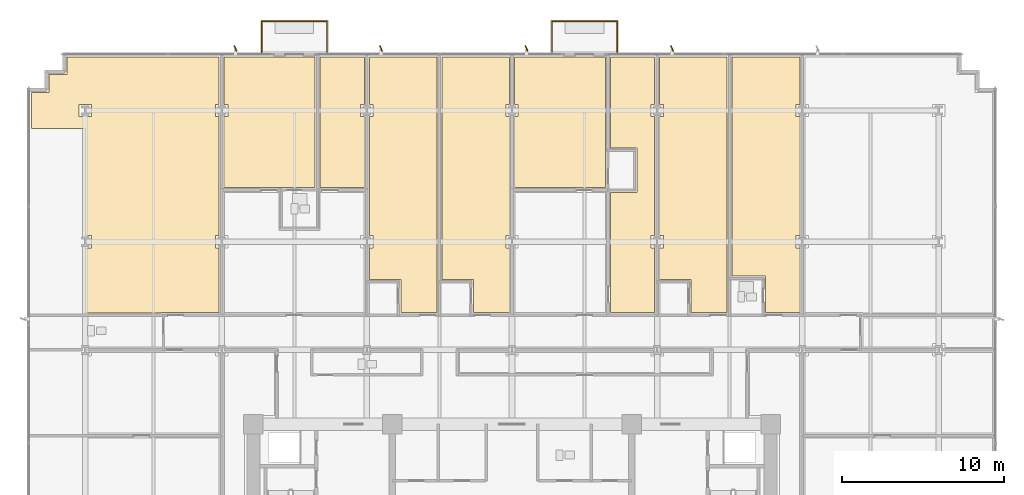
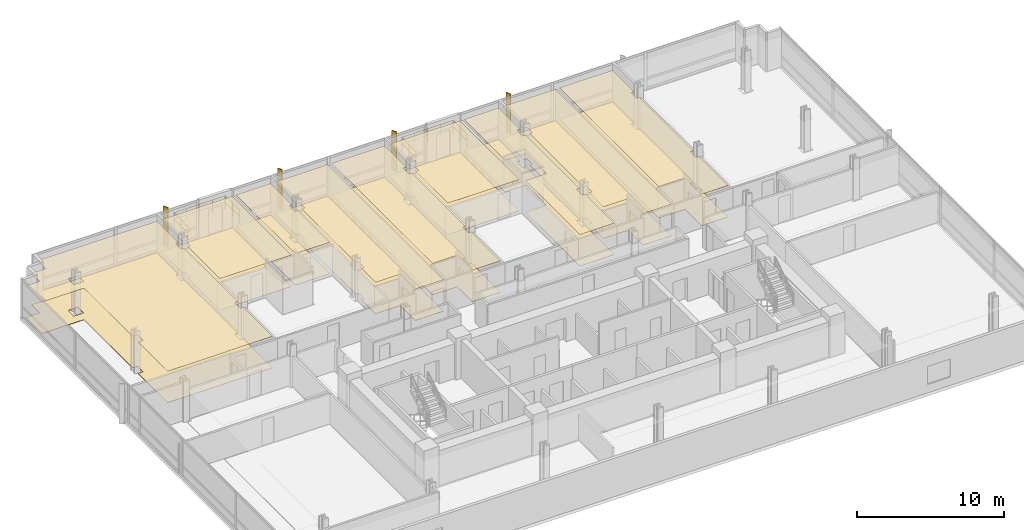
# One storey, part 14 of 16: 18 coverings, 6 railings, 4 shading devices.
"""IFC4 building model written with IfcOpenShell, lengths in metres."""

import ifcopenshell
import ifcopenshell.guid

model = None  # the IFC model being written
_history = None  # IfcOwnerHistory: only IFC2X3 demands one
_inside = {}  # id of a spatial element -> (the spatial element, [elements in it])
_under = {}  # id of a project, library or spatial element -> (it, [spatial elements below it])
_declared = {}  # id of a project -> (the project, [libraries it declares])
_typed = {}  # id of a type object -> (the type object, [elements of that type])
_made_of = {}  # id of a material, layer set ... -> (it, [elements and type objects made of it])


def new_model(schema):
    """Start an empty IFC model of exactly this schema.

    Asked for "IFC4X3", IfcOpenShell would pick the latest addendum, in which some entities
    have other attributes; the version numbers below select the first issue.
    IFC2X3 requires an IfcOwnerHistory on every rooted entity: one is made here for all.
    """
    global model, _history
    if schema == "IFC4X3":
        model = ifcopenshell.file(schema_version=(4, 3, 0, 0))
    else:
        model = ifcopenshell.file(schema=schema)
    _inside.clear()
    _under.clear()
    _declared.clear()
    _typed.clear()
    _made_of.clear()
    _history = None
    if model.schema == "IFC2X3":
        org = make("IfcOrganization", Name="unknown")
        user = make(
            "IfcPersonAndOrganization",
            ThePerson=make("IfcPerson", FamilyName="unknown"),
            TheOrganization=org,
        )
        app = make(
            "IfcApplication",
            ApplicationDeveloper=org,
            Version="unknown",
            ApplicationFullName="unknown",
            ApplicationIdentifier="unknown",
        )
        _history = make(
            "IfcOwnerHistory",
            OwningUser=user,
            OwningApplication=app,
            ChangeAction="ADDED",
            CreationDate=0,
        )
    return model


def make(cls, **values):
    """One entity of the class cls with the attributes given. An attribute that is None is left unset."""
    return model.create_entity(
        cls, **{name: value for name, value in values.items() if value is not None}
    )


def rooted(cls, **values):
    """An entity with a GlobalId (a new one), such as an element, a storey or a relation."""
    return make(cls, GlobalId=ifcopenshell.guid.new(), OwnerHistory=_history, **values)


def si_unit(unit_type, name, prefix=None):
    """IfcSIUnit, for example si_unit("LENGTHUNIT", "METRE", prefix="MILLI")."""
    return make("IfcSIUnit", UnitType=unit_type, Prefix=prefix, Name=name)


def assignment(units):
    """IfcUnitAssignment: the units of a project."""
    return None if units is None else make("IfcUnitAssignment", Units=units)


def point(xyz):
    """IfcCartesianPoint."""
    return None if xyz is None else make("IfcCartesianPoint", Coordinates=xyz)


def direction(xyz):
    """IfcDirection."""
    return None if xyz is None else make("IfcDirection", DirectionRatios=xyz)


def frame(location, z_axis=None, x_axis=None):
    """IfcAxis2Placement3D, a coordinate frame: its origin and axes. An axis left out is left unset."""
    return make(
        "IfcAxis2Placement3D",
        Location=point(location),
        Axis=direction(z_axis),
        RefDirection=direction(x_axis),
    )


def frame_2d(location, x_axis=None):
    """IfcAxis2Placement2D, a coordinate frame in the plane: its origin and x axis."""
    return make(
        "IfcAxis2Placement2D", Location=point(location), RefDirection=direction(x_axis)
    )


def origin():
    """The frame at (0, 0, 0) with its axes left unset."""
    return frame((0.0, 0.0, 0.0))


def origin_2d():
    """The frame at (0, 0) in the plane with its x axis left unset."""
    return frame_2d((0.0, 0.0))


def place(relative_to, where):
    """IfcLocalPlacement: puts the frame where relative to a parent placement (None: the world)."""
    return make(
        "IfcLocalPlacement", PlacementRelTo=relative_to, RelativePlacement=where
    )


def context(
    kind, dimensions, precision=None, world=None, true_north=None, identifier=None
):
    """IfcGeometricRepresentationContext, for example the 3D "Model" context."""
    return make(
        "IfcGeometricRepresentationContext",
        ContextIdentifier=identifier,
        ContextType=kind,
        CoordinateSpaceDimension=dimensions,
        Precision=precision,
        WorldCoordinateSystem=world,
        TrueNorth=true_north,
    )


def subcontext(parent, identifier, kind, view, scale=None):
    """IfcGeometricRepresentationSubContext, for example "Body" below "Model"."""
    return make(
        "IfcGeometricRepresentationSubContext",
        ContextIdentifier=identifier,
        ContextType=kind,
        ParentContext=parent,
        TargetScale=scale,
        TargetView=view,
    )


def project(units=None, contexts=None):
    """IfcProject with its units and contexts."""
    return rooted(
        "IfcProject",
        Name="project",
        RepresentationContexts=contexts,
        UnitsInContext=assignment(units),
    )


def spatial(cls, under=None, at=None, **own):
    """A site, building, storey or space (cls), placed at a placement, below another one or the project."""
    s = rooted(cls, ObjectPlacement=at, **own)
    if under is not None:
        _under.setdefault(under.id(), (under, []))[1].append(s)
    return s


def polyline(points):
    """IfcPolyline through the points."""
    return make("IfcPolyline", Points=[point(p) for p in points])


def profile(cls, at=None, kind="AREA", **sizes):
    """A parametric profile (cls). Its sizes go by their IFC names, for example OverallWidth=200.0."""
    return make(cls, ProfileType=kind, Position=at, **sizes)


def rectangle(**sizes):
    """IfcRectangleProfileDef."""
    return profile("IfcRectangleProfileDef", **sizes)


def circle(**sizes):
    """IfcCircleProfileDef."""
    return profile("IfcCircleProfileDef", **sizes)


def outline(outer, holes=None, kind="AREA"):
    """IfcArbitraryClosedProfileDef: a profile drawn as a closed curve; with holes, ...WithVoids."""
    if holes is None:
        return make("IfcArbitraryClosedProfileDef", ProfileType=kind, OuterCurve=outer)
    return make(
        "IfcArbitraryProfileDefWithVoids",
        ProfileType=kind,
        OuterCurve=outer,
        InnerCurves=holes,
    )


def extrude(swept, where, along, depth):
    """IfcExtrudedAreaSolid: the profile swept, set in the frame where, extruded along a direction by depth."""
    return make(
        "IfcExtrudedAreaSolid",
        SweptArea=swept,
        Position=where,
        ExtrudedDirection=direction(along),
        Depth=depth,
    )


def shape(context_of_items, identifier, shape_type, items):
    """IfcShapeRepresentation: the items that make up one representation, for example the "Body"."""
    return make(
        "IfcShapeRepresentation",
        ContextOfItems=context_of_items,
        RepresentationIdentifier=identifier,
        RepresentationType=shape_type,
        Items=items,
    )


def material(Name=None, Category=None):
    """IfcMaterial."""
    return make("IfcMaterial", Name=Name, Category=Category)


def layer(
    of_material, thickness, ventilated=None, Name=None, Category=None, Priority=None
):
    """IfcMaterialLayer: one layer of a wall or slab, of a material (None: an air gap)."""
    return make(
        "IfcMaterialLayer",
        Material=of_material,
        LayerThickness=thickness,
        IsVentilated=ventilated,
        Name=Name,
        Category=Category,
        Priority=Priority,
    )


def layer_set(layers, Name=None):
    """IfcMaterialLayerSet."""
    return make("IfcMaterialLayerSet", MaterialLayers=layers, LayerSetName=Name)


def made_of(thing, what):
    """Note that an element or type object is made of a material, layer set ...; save() writes the relation."""
    if what is not None:
        _made_of.setdefault(what.id(), (what, []))[1].append(thing)
    return thing


def type_object(cls, material=None, **own):
    """A type object (cls), such as IfcWallType, which elements share."""
    return made_of(rooted(cls, **own), material)


def element(
    cls,
    number,
    at=None,
    inside=None,
    cuts=None,
    type_object=None,
    material=None,
    context=None,
    identifier="Body",
    shape_type=None,
    held_by="IfcProductDefinitionShape",
    body=None,
    shapes=None,
    **own,
):
    """One element of the class cls, such as IfcWall. Its Tag is "e" and its number.

    at: its placement. inside: the storey or other place that contains it. cuts: it is an
    opening in that element (IfcRelVoidsElement). A single representation is given by context,
    identifier, shape_type and body (its items); several are given by shapes. held_by: the class
    of the entity that holds the representations. save() writes the other relations.
    """
    e = rooted(cls, Tag="e%d" % number, ObjectPlacement=at, **own)
    if body is not None:
        shapes = [shape(context, identifier, shape_type, body)]
    if shapes is not None:
        e.Representation = make(held_by, Representations=shapes)
    if inside is not None:
        _inside.setdefault(inside.id(), (inside, []))[1].append(e)
    if cuts is not None:
        rooted(
            "IfcRelVoidsElement", RelatingBuildingElement=cuts, RelatedOpeningElement=e
        )
    if type_object is not None:
        _typed.setdefault(type_object.id(), (type_object, []))[1].append(e)
    return made_of(e, material)


def aggregate(whole, parts):
    """IfcRelAggregates: a whole, such as a stair, and the parts it consists of."""
    return rooted("IfcRelAggregates", RelatingObject=whole, RelatedObjects=parts)


def save(model, path):
    """Write the relations noted so far, then the file.

    IfcRelAggregates (storeys below a building ...), IfcRelContainedInSpatialStructure (elements
    in a storey), IfcRelDefinesByType, IfcRelAssociatesMaterial and IfcRelDeclares: one each for
    every whole, place, type object, material and project.
    """
    for whole, parts in _under.values():
        aggregate(whole, parts)
    for where, things in _inside.values():
        rooted(
            "IfcRelContainedInSpatialStructure",
            RelatedElements=things,
            RelatingStructure=where,
        )
    for kind, things in _typed.values():
        rooted("IfcRelDefinesByType", RelatedObjects=things, RelatingType=kind)
    for what, things in _made_of.values():
        rooted("IfcRelAssociatesMaterial", RelatedObjects=things, RelatingMaterial=what)
    for by, libraries in _declared.values():
        rooted("IfcRelDeclares", RelatingContext=by, RelatedDefinitions=libraries)
    model.write(path)


model = new_model("IFC4")

# Units and contexts
model_context = context("Model", 3, precision=1e-05, world=origin(), true_north=direction((0.0, 1.0)))
body_context = subcontext(model_context, "Body", "Model", "MODEL_VIEW")
ifc_project = project(units=[si_unit("LENGTHUNIT", "METRE"), si_unit("AREAUNIT", "SQUARE_METRE"), si_unit("VOLUMEUNIT", "CUBIC_METRE"), si_unit("PLANEANGLEUNIT", "RADIAN"), si_unit("MASSUNIT", "GRAM", prefix="KILO")], contexts=[model_context])

# Site, building, storey
site_placement = place(None, origin())
site = spatial("IfcSite", under=ifc_project, at=site_placement, CompositionType="ELEMENT")
building_placement = place(site_placement, origin())
building = spatial("IfcBuilding", under=site, at=building_placement, Name="Solmavex Isthmus Hotel", CompositionType="ELEMENT")
storey_placement = place(building_placement, frame((0.0, 0.0, 67.800048828125)))
storey = spatial("IfcBuildingStorey", under=building, at=storey_placement, Name="L18", CompositionType="ELEMENT", Elevation=67.800048828125)

# Coverings
ifc_material_1 = material(Name="Gypsum plasterboard lining", Category="gypsum")
ifc_layer_1 = layer(ifc_material_1, 0.030029296875)
ifc_layer_set_1 = layer_set([ifc_layer_1], Name="Gypsum plasterboard lining")
covering_type_1 = type_object("IfcCoveringType", Name="COV-CEIL-GYP", PredefinedType="CEILING", material=ifc_layer_set_1)
covering_1_placement = place(storey_placement, frame((0.0, 0.0, 2.619873046875)))
element("IfcCovering", 1, at=covering_1_placement, inside=storey, type_object=covering_type_1, Name="Suspended Acoustic Ceiling L18-RM01", PredefinedType="CEILING", context=body_context, shape_type="SweptSolid", body=[
    extrude(outline(polyline([(-21.70703125, 4.385009765625), (-21.70703125, 4.405029296875), (-18.10693359375, 4.405029296875), (-18.10693359375, 8.407958984375), (-18.33203125, 8.407958984375), (-18.33203125, 9.16796875), (-18.10693359375, 9.16796875), (-18.10693359375, 16.52001953125), (-18.33203125, 16.52001953125), (-18.33203125, 17.280029296875), (-18.10693359375, 17.280029296875), (-18.10693359375, 20.22509765625), (-27.52490234375, 20.22509765625), (-27.52490234375, 19.125), (-28.625, 19.125), (-28.625, 18.02490234375), (-29.72509765625, 18.02490234375), (-29.72509765625, 15.800048828125), (-26.39990234375, 15.800048828125), (-26.39990234375, 9.16796875), (-26.02001953125, 9.16796875), (-26.02001953125, 8.407958984375), (-26.39990234375, 8.407958984375), (-26.39990234375, 4.385009765625), (-21.70703125, 4.385009765625)]), holes=[polyline([(-26.780029296875, 17.280029296875), (-26.02001953125, 17.280029296875), (-26.02001953125, 16.52001953125), (-26.780029296875, 16.52001953125), (-26.780029296875, 17.280029296875)])]), origin(), (0.0, 0.0, 1.0), 0.030029296875),
])
covering_2_placement = place(storey_placement, frame((0.0, 0.0, 2.619873046875)))
element("IfcCovering", 2, at=covering_2_placement, inside=storey, type_object=covering_type_1, Name="Suspended Acoustic Ceiling L18-TB02", PredefinedType="CEILING", context=body_context, shape_type="SweptSolid", body=[
    extrude(outline(polyline([(-17.797119140625, 17.280029296875), (-17.572021484375, 17.280029296875), (-17.572021484375, 16.52001953125), (-17.797119140625, 16.52001953125), (-17.797119140625, 12.14306640625), (-12.1689453125, 12.14306640625), (-12.1689453125, 20.22509765625), (-17.797119140625, 20.22509765625), (-17.797119140625, 17.280029296875)])), origin(), (0.0, 0.0, 1.0), 0.030029296875),
])
covering_3_placement = place(storey_placement, frame((0.0, 0.0, 2.619873046875)))
element("IfcCovering", 3, at=covering_3_placement, inside=storey, type_object=covering_type_1, Name="Suspended Acoustic Ceiling L18-TL02", PredefinedType="CEILING", context=body_context, shape_type="SweptSolid", body=[
    extrude(outline(polyline([(-9.131103515625, 16.52001953125), (-9.35595703125, 16.52001953125), (-9.35595703125, 17.280029296875), (-9.131103515625, 17.280029296875), (-9.131103515625, 20.22509765625), (-11.85888671875, 20.22509765625), (-11.85888671875, 12.14306640625), (-9.131103515625, 12.14306640625), (-9.131103515625, 16.52001953125)])), origin(), (0.0, 0.0, 1.0), 0.030029296875),
])
covering_4_placement = place(storey_placement, frame((0.0, 0.0, 2.619873046875)))
element("IfcCovering", 4, at=covering_4_placement, inside=storey, type_object=covering_type_1, Name="Suspended Acoustic Ceiling L18-RM03", PredefinedType="CEILING", context=body_context, shape_type="SweptSolid", body=[
    extrude(outline(polyline([(-8.821044921875, 9.16796875), (-8.595947265625, 9.16796875), (-8.595947265625, 8.407958984375), (-8.821044921875, 8.407958984375), (-8.821044921875, 6.455078125), (-6.87109375, 6.455078125), (-6.87109375, 4.405029296875), (-4.64306640625, 4.405029296875), (-4.64306640625, 20.22509765625), (-8.821044921875, 20.22509765625), (-8.821044921875, 17.280029296875), (-8.595947265625, 17.280029296875), (-8.595947265625, 16.52001953125), (-8.821044921875, 16.52001953125), (-8.821044921875, 9.16796875)])), origin(), (0.0, 0.0, 1.0), 0.030029296875),
])
covering_5_placement = place(storey_placement, frame((0.0, 0.0, 2.619873046875)))
element("IfcCovering", 5, at=covering_5_placement, inside=storey, type_object=covering_type_1, Name="Suspended Acoustic Ceiling L18-RM04", PredefinedType="CEILING", context=body_context, shape_type="SweptSolid", body=[
    extrude(outline(polyline([(-0.155029296875, 16.52001953125), (-0.3798828125, 16.52001953125), (-0.3798828125, 17.280029296875), (-0.155029296875, 17.280029296875), (-0.155029296875, 20.22509765625), (-4.3330078125, 20.22509765625), (-4.3330078125, 6.455078125), (-2.383056640625, 6.455078125), (-2.383056640625, 4.405029296875), (-0.155029296875, 4.405029296875), (-0.155029296875, 8.407958984375), (-0.3798828125, 8.407958984375), (-0.3798828125, 9.16796875), (-0.155029296875, 9.16796875), (-0.155029296875, 16.52001953125)])), origin(), (0.0, 0.0, 1.0), 0.030029296875),
])
covering_6_placement = place(storey_placement, frame((0.0, 0.0, 2.619873046875)))
element("IfcCovering", 6, at=covering_6_placement, inside=storey, type_object=covering_type_1, Name="Suspended Acoustic Ceiling L18-SL05-BD", PredefinedType="CEILING", context=body_context, shape_type="SweptSolid", body=[
    extrude(outline(polyline([(0.155029296875, 17.280029296875), (0.3798828125, 17.280029296875), (0.3798828125, 16.52001953125), (0.155029296875, 16.52001953125), (0.155029296875, 12.14306640625), (5.782958984375, 12.14306640625), (5.782958984375, 20.22509765625), (0.155029296875, 20.22509765625), (0.155029296875, 17.280029296875)])), origin(), (0.0, 0.0, 1.0), 0.030029296875),
])
covering_7_placement = place(storey_placement, frame((0.0, 0.0, 2.619873046875)))
element("IfcCovering", 7, at=covering_7_placement, inside=storey, type_object=covering_type_1, Name="Suspended Acoustic Ceiling L18-SV05", PredefinedType="CEILING", context=body_context, shape_type="SweptSolid", body=[
    extrude(outline(polyline([(8.821044921875, 16.52001953125), (8.595947265625, 16.52001953125), (8.595947265625, 17.280029296875), (8.821044921875, 17.280029296875), (8.821044921875, 20.22509765625), (6.093017578125, 20.22509765625), (6.093017578125, 14.593017578125), (7.73095703125, 14.593017578125), (7.73095703125, 11.8330078125), (6.093017578125, 11.8330078125), (6.093017578125, 4.405029296875), (8.821044921875, 4.405029296875), (8.821044921875, 8.407958984375), (8.595947265625, 8.407958984375), (8.595947265625, 9.16796875), (8.821044921875, 9.16796875), (8.821044921875, 16.52001953125)])), origin(), (0.0, 0.0, 1.0), 0.030029296875),
])
covering_8_placement = place(storey_placement, frame((0.0, 0.0, 2.619873046875)))
element("IfcCovering", 8, at=covering_8_placement, inside=storey, type_object=covering_type_1, Name="Suspended Acoustic Ceiling L18-RM06", PredefinedType="CEILING", context=body_context, shape_type="SweptSolid", body=[
    extrude(outline(polyline([(9.131103515625, 9.16796875), (9.35595703125, 9.16796875), (9.35595703125, 8.407958984375), (9.131103515625, 8.407958984375), (9.131103515625, 6.455078125), (11.0810546875, 6.455078125), (11.0810546875, 4.405029296875), (13.30908203125, 4.405029296875), (13.30908203125, 20.22509765625), (9.131103515625, 20.22509765625), (9.131103515625, 17.280029296875), (9.35595703125, 17.280029296875), (9.35595703125, 16.52001953125), (9.131103515625, 16.52001953125), (9.131103515625, 9.16796875)])), origin(), (0.0, 0.0, 1.0), 0.030029296875),
])
covering_9_placement = place(storey_placement, frame((0.0, 0.0, 2.619873046875)))
element("IfcCovering", 9, at=covering_9_placement, inside=storey, type_object=covering_type_1, Name="Suspended Acoustic Ceiling L18-RM07", PredefinedType="CEILING", context=body_context, shape_type="SweptSolid", body=[
    extrude(outline(polyline([(17.797119140625, 16.52001953125), (17.572021484375, 16.52001953125), (17.572021484375, 17.280029296875), (17.797119140625, 17.280029296875), (17.797119140625, 20.22509765625), (13.618896484375, 20.22509765625), (13.618896484375, 6.655029296875), (15.68359375, 6.655029296875), (15.68359375, 4.405029296875), (17.797119140625, 4.405029296875), (17.797119140625, 8.407958984375), (17.572021484375, 8.407958984375), (17.572021484375, 9.16796875), (17.797119140625, 9.16796875), (17.797119140625, 16.52001953125)])), origin(), (0.0, 0.0, 1.0), 0.030029296875),
])
ifc_material_2 = material(Name="Travertine natural stone", Category="masonry")
ifc_layer_2 = layer(ifc_material_2, 0.02490234375)
ifc_layer_set_2 = layer_set([ifc_layer_2], Name="Travertine natural stone")
covering_type_2 = type_object("IfcCoveringType", Name="COV-FLOR-STN", PredefinedType="FLOORING", material=ifc_layer_set_2)
covering_10_placement = place(storey_placement, origin())
element("IfcCovering", 10, at=covering_10_placement, inside=storey, type_object=covering_type_2, Name="Stone and Timber Floor Finish L18-RM01", PredefinedType="FLOORING", context=body_context, shape_type="SweptSolid", body=[
    extrude(outline(polyline([(-21.70703125, 4.385009765625), (-21.70703125, 4.405029296875), (-18.10693359375, 4.405029296875), (-18.10693359375, 8.407958984375), (-18.33203125, 8.407958984375), (-18.33203125, 9.16796875), (-18.10693359375, 9.16796875), (-18.10693359375, 16.52001953125), (-18.33203125, 16.52001953125), (-18.33203125, 17.280029296875), (-18.10693359375, 17.280029296875), (-18.10693359375, 20.22509765625), (-27.52490234375, 20.22509765625), (-27.52490234375, 19.125), (-28.625, 19.125), (-28.625, 18.02490234375), (-29.72509765625, 18.02490234375), (-29.72509765625, 15.800048828125), (-26.39990234375, 15.800048828125), (-26.39990234375, 9.16796875), (-26.02001953125, 9.16796875), (-26.02001953125, 8.407958984375), (-26.39990234375, 8.407958984375), (-26.39990234375, 4.385009765625), (-21.70703125, 4.385009765625)]), holes=[polyline([(-26.780029296875, 17.280029296875), (-26.02001953125, 17.280029296875), (-26.02001953125, 16.52001953125), (-26.780029296875, 16.52001953125), (-26.780029296875, 17.280029296875)])]), origin(), (0.0, 0.0, 1.0), 0.02490234375),
])
covering_11_placement = place(storey_placement, origin())
element("IfcCovering", 11, at=covering_11_placement, inside=storey, type_object=covering_type_2, Name="Stone and Timber Floor Finish L18-TB02", PredefinedType="FLOORING", context=body_context, shape_type="SweptSolid", body=[
    extrude(outline(polyline([(-17.797119140625, 17.280029296875), (-17.572021484375, 17.280029296875), (-17.572021484375, 16.52001953125), (-17.797119140625, 16.52001953125), (-17.797119140625, 12.14306640625), (-12.1689453125, 12.14306640625), (-12.1689453125, 20.22509765625), (-17.797119140625, 20.22509765625), (-17.797119140625, 17.280029296875)])), origin(), (0.0, 0.0, 1.0), 0.02490234375),
])
covering_12_placement = place(storey_placement, origin())
element("IfcCovering", 12, at=covering_12_placement, inside=storey, type_object=covering_type_2, Name="Stone and Timber Floor Finish L18-TL02", PredefinedType="FLOORING", context=body_context, shape_type="SweptSolid", body=[
    extrude(outline(polyline([(-9.131103515625, 16.52001953125), (-9.35595703125, 16.52001953125), (-9.35595703125, 17.280029296875), (-9.131103515625, 17.280029296875), (-9.131103515625, 20.22509765625), (-11.85888671875, 20.22509765625), (-11.85888671875, 12.14306640625), (-9.131103515625, 12.14306640625), (-9.131103515625, 16.52001953125)])), origin(), (0.0, 0.0, 1.0), 0.02490234375),
])
covering_13_placement = place(storey_placement, origin())
element("IfcCovering", 13, at=covering_13_placement, inside=storey, type_object=covering_type_2, Name="Stone and Timber Floor Finish L18-RM03", PredefinedType="FLOORING", context=body_context, shape_type="SweptSolid", body=[
    extrude(outline(polyline([(-8.821044921875, 9.16796875), (-8.595947265625, 9.16796875), (-8.595947265625, 8.407958984375), (-8.821044921875, 8.407958984375), (-8.821044921875, 6.455078125), (-6.87109375, 6.455078125), (-6.87109375, 4.405029296875), (-4.64306640625, 4.405029296875), (-4.64306640625, 20.22509765625), (-8.821044921875, 20.22509765625), (-8.821044921875, 17.280029296875), (-8.595947265625, 17.280029296875), (-8.595947265625, 16.52001953125), (-8.821044921875, 16.52001953125), (-8.821044921875, 9.16796875)])), origin(), (0.0, 0.0, 1.0), 0.02490234375),
])
covering_14_placement = place(storey_placement, origin())
element("IfcCovering", 14, at=covering_14_placement, inside=storey, type_object=covering_type_2, Name="Stone and Timber Floor Finish L18-RM04", PredefinedType="FLOORING", context=body_context, shape_type="SweptSolid", body=[
    extrude(outline(polyline([(-0.155029296875, 16.52001953125), (-0.3798828125, 16.52001953125), (-0.3798828125, 17.280029296875), (-0.155029296875, 17.280029296875), (-0.155029296875, 20.22509765625), (-4.3330078125, 20.22509765625), (-4.3330078125, 6.455078125), (-2.383056640625, 6.455078125), (-2.383056640625, 4.405029296875), (-0.155029296875, 4.405029296875), (-0.155029296875, 8.407958984375), (-0.3798828125, 8.407958984375), (-0.3798828125, 9.16796875), (-0.155029296875, 9.16796875), (-0.155029296875, 16.52001953125)])), origin(), (0.0, 0.0, 1.0), 0.02490234375),
])
covering_15_placement = place(storey_placement, origin())
element("IfcCovering", 15, at=covering_15_placement, inside=storey, type_object=covering_type_2, Name="Stone and Timber Floor Finish L18-SL05-BD", PredefinedType="FLOORING", context=body_context, shape_type="SweptSolid", body=[
    extrude(outline(polyline([(0.155029296875, 17.280029296875), (0.3798828125, 17.280029296875), (0.3798828125, 16.52001953125), (0.155029296875, 16.52001953125), (0.155029296875, 12.14306640625), (5.782958984375, 12.14306640625), (5.782958984375, 20.22509765625), (0.155029296875, 20.22509765625), (0.155029296875, 17.280029296875)])), origin(), (0.0, 0.0, 1.0), 0.02490234375),
])
covering_16_placement = place(storey_placement, origin())
element("IfcCovering", 16, at=covering_16_placement, inside=storey, type_object=covering_type_2, Name="Stone and Timber Floor Finish L18-SV05", PredefinedType="FLOORING", context=body_context, shape_type="SweptSolid", body=[
    extrude(outline(polyline([(8.821044921875, 16.52001953125), (8.595947265625, 16.52001953125), (8.595947265625, 17.280029296875), (8.821044921875, 17.280029296875), (8.821044921875, 20.22509765625), (6.093017578125, 20.22509765625), (6.093017578125, 14.593017578125), (7.73095703125, 14.593017578125), (7.73095703125, 11.8330078125), (6.093017578125, 11.8330078125), (6.093017578125, 4.405029296875), (8.821044921875, 4.405029296875), (8.821044921875, 8.407958984375), (8.595947265625, 8.407958984375), (8.595947265625, 9.16796875), (8.821044921875, 9.16796875), (8.821044921875, 16.52001953125)])), origin(), (0.0, 0.0, 1.0), 0.02490234375),
])
covering_17_placement = place(storey_placement, origin())
element("IfcCovering", 17, at=covering_17_placement, inside=storey, type_object=covering_type_2, Name="Stone and Timber Floor Finish L18-RM06", PredefinedType="FLOORING", context=body_context, shape_type="SweptSolid", body=[
    extrude(outline(polyline([(9.131103515625, 9.16796875), (9.35595703125, 9.16796875), (9.35595703125, 8.407958984375), (9.131103515625, 8.407958984375), (9.131103515625, 6.455078125), (11.0810546875, 6.455078125), (11.0810546875, 4.405029296875), (13.30908203125, 4.405029296875), (13.30908203125, 20.22509765625), (9.131103515625, 20.22509765625), (9.131103515625, 17.280029296875), (9.35595703125, 17.280029296875), (9.35595703125, 16.52001953125), (9.131103515625, 16.52001953125), (9.131103515625, 9.16796875)])), origin(), (0.0, 0.0, 1.0), 0.02490234375),
])
covering_18_placement = place(storey_placement, origin())
element("IfcCovering", 18, at=covering_18_placement, inside=storey, type_object=covering_type_2, Name="Stone and Timber Floor Finish L18-RM07", PredefinedType="FLOORING", context=body_context, shape_type="SweptSolid", body=[
    extrude(outline(polyline([(17.797119140625, 16.52001953125), (17.572021484375, 16.52001953125), (17.572021484375, 17.280029296875), (17.797119140625, 17.280029296875), (17.797119140625, 20.22509765625), (13.618896484375, 20.22509765625), (13.618896484375, 6.655029296875), (15.68359375, 6.655029296875), (15.68359375, 4.405029296875), (17.797119140625, 4.405029296875), (17.797119140625, 8.407958984375), (17.572021484375, 8.407958984375), (17.572021484375, 9.16796875), (17.797119140625, 9.16796875), (17.797119140625, 16.52001953125)])), origin(), (0.0, 0.0, 1.0), 0.02490234375),
])

# Railings
ifc_material_3 = material(Name="Clear low-E laminated glass", Category="glass")
ifc_layer_3 = layer(ifc_material_3, 0.070068359375)
ifc_layer_set_3 = layer_set([ifc_layer_3], Name="Clear low-E laminated glass")
railing_type = type_object("IfcRailingType", Name="RAIL-GUARD-1100", PredefinedType="BALUSTRADE", material=ifc_layer_set_3)
railing_1_placement = place(storey_placement, frame((-15.48388671875, 20.5, 0.0)))
element("IfcRailing", 19, at=railing_1_placement, inside=storey, type_object=railing_type, Name="Guardrail Balustrade L18-BAL1-01", PredefinedType="BALUSTRADE", context=body_context, shape_type="SweptSolid", body=[
    extrude(circle(Radius=0.02392578125, at=origin_2d()), frame((0.0, 0.0, 1.09619140625), z_axis=(0.0, 1.0, 0.0), x_axis=(-1.0, 0.0, 0.0)), (0.0, 0.0, 1.0), 1.919921875),
    extrude(circle(Radius=0.02392578125, at=origin_2d()), frame((0.0, 0.0, 0.56005859375), z_axis=(0.0, 1.0, 0.0), x_axis=(-1.0, 0.0, 0.0)), (0.0, 0.0, 1.0), 1.919921875),
    extrude(circle(Radius=0.02099609375, at=origin_2d()), origin(), (0.0, 0.0, 1.0), 1.072021484375),
    extrude(circle(Radius=0.02099609375, at=origin_2d()), frame((0.0, 0.9599609375, 0.0)), (0.0, 0.0, 1.0), 1.072021484375),
    extrude(circle(Radius=0.02099609375, at=origin_2d()), frame((0.0, 1.919921875, 0.0)), (0.0, 0.0, 1.0), 1.072021484375),
])
railing_2_placement = place(storey_placement, frame((-15.48388671875, 22.419921875, 0.0)))
element("IfcRailing", 20, at=railing_2_placement, inside=storey, type_object=railing_type, Name="Guardrail Balustrade L18-BAL1-02", PredefinedType="BALUSTRADE", context=body_context, shape_type="SweptSolid", body=[
    extrude(circle(Radius=0.02392578125, at=origin_2d()), frame((0.0, 0.0, 1.09619140625), z_axis=(1.0, 0.0, 0.0), x_axis=(0.0, 1.0, 0.0)), (0.0, 0.0, 1.0), 4.039794921875),
    extrude(circle(Radius=0.02392578125, at=origin_2d()), frame((0.0, 0.0, 0.56005859375), z_axis=(1.0, 0.0, 0.0), x_axis=(0.0, 1.0, 0.0)), (0.0, 0.0, 1.0), 4.039794921875),
    extrude(circle(Radius=0.02099609375, at=origin_2d()), origin(), (0.0, 0.0, 1.0), 1.072021484375),
    extrude(circle(Radius=0.02099609375, at=origin_2d()), frame((1.010009765625, 0.0, 0.0)), (0.0, 0.0, 1.0), 1.072021484375),
    extrude(circle(Radius=0.02099609375, at=origin_2d()), frame((2.02001953125, 0.0, 0.0)), (0.0, 0.0, 1.0), 1.072021484375),
    extrude(circle(Radius=0.02099609375, at=origin_2d()), frame((3.02978515625, 0.0, 0.0)), (0.0, 0.0, 1.0), 1.072021484375),
    extrude(circle(Radius=0.02099609375, at=origin_2d()), frame((4.039794921875, 0.0, 0.0)), (0.0, 0.0, 1.0), 1.072021484375),
])
railing_3_placement = place(storey_placement, frame((-11.444091796875, 22.419921875, 0.0)))
element("IfcRailing", 21, at=railing_3_placement, inside=storey, type_object=railing_type, Name="Guardrail Balustrade L18-BAL1-03", PredefinedType="BALUSTRADE", context=body_context, shape_type="SweptSolid", body=[
    extrude(circle(Radius=0.02392578125, at=origin_2d()), frame((0.0, 0.0, 1.09619140625), z_axis=(0.0, -1.0, 0.0), x_axis=(1.0, 0.0, 0.0)), (0.0, 0.0, 1.0), 1.919921875),
    extrude(circle(Radius=0.02392578125, at=origin_2d()), frame((0.0, 0.0, 0.56005859375), z_axis=(0.0, -1.0, 0.0), x_axis=(1.0, 0.0, 0.0)), (0.0, 0.0, 1.0), 1.919921875),
    extrude(circle(Radius=0.02099609375, at=origin_2d()), origin(), (0.0, 0.0, 1.0), 1.072021484375),
    extrude(circle(Radius=0.02099609375, at=origin_2d()), frame((0.0, -0.9599609375, 0.0)), (0.0, 0.0, 1.0), 1.072021484375),
    extrude(circle(Radius=0.02099609375, at=origin_2d()), frame((0.0, -1.919921875, 0.0)), (0.0, 0.0, 1.0), 1.072021484375),
])
railing_4_placement = place(storey_placement, frame((2.468017578125, 20.5, 0.0)))
element("IfcRailing", 22, at=railing_4_placement, inside=storey, type_object=railing_type, Name="Guardrail Balustrade L18-BAL2-01", PredefinedType="BALUSTRADE", context=body_context, shape_type="SweptSolid", body=[
    extrude(circle(Radius=0.02392578125, at=origin_2d()), frame((0.0, 0.0, 1.09619140625), z_axis=(0.0, 1.0, 0.0), x_axis=(-1.0, 0.0, 0.0)), (0.0, 0.0, 1.0), 1.919921875),
    extrude(circle(Radius=0.02392578125, at=origin_2d()), frame((0.0, 0.0, 0.56005859375), z_axis=(0.0, 1.0, 0.0), x_axis=(-1.0, 0.0, 0.0)), (0.0, 0.0, 1.0), 1.919921875),
    extrude(circle(Radius=0.02099609375, at=origin_2d()), origin(), (0.0, 0.0, 1.0), 1.072021484375),
    extrude(circle(Radius=0.02099609375, at=origin_2d()), frame((0.0, 0.9599609375, 0.0)), (0.0, 0.0, 1.0), 1.072021484375),
    extrude(circle(Radius=0.02099609375, at=origin_2d()), frame((0.0, 1.919921875, 0.0)), (0.0, 0.0, 1.0), 1.072021484375),
])
railing_5_placement = place(storey_placement, frame((2.468017578125, 22.419921875, 0.0)))
element("IfcRailing", 23, at=railing_5_placement, inside=storey, type_object=railing_type, Name="Guardrail Balustrade L18-BAL2-02", PredefinedType="BALUSTRADE", context=body_context, shape_type="SweptSolid", body=[
    extrude(circle(Radius=0.02392578125, at=origin_2d()), frame((0.0, 0.0, 1.09619140625), z_axis=(1.0, 0.0, 0.0), x_axis=(0.0, 1.0, 0.0)), (0.0, 0.0, 1.0), 4.0400390625),
    extrude(circle(Radius=0.02392578125, at=origin_2d()), frame((0.0, 0.0, 0.56005859375), z_axis=(1.0, 0.0, 0.0), x_axis=(0.0, 1.0, 0.0)), (0.0, 0.0, 1.0), 4.0400390625),
    extrude(circle(Radius=0.02099609375, at=origin_2d()), origin(), (0.0, 0.0, 1.0), 1.072021484375),
    extrude(circle(Radius=0.02099609375, at=origin_2d()), frame((1.010009765625, 0.0, 0.0)), (0.0, 0.0, 1.0), 1.072021484375),
    extrude(circle(Radius=0.02099609375, at=origin_2d()), frame((2.02001953125, 0.0, 0.0)), (0.0, 0.0, 1.0), 1.072021484375),
    extrude(circle(Radius=0.02099609375, at=origin_2d()), frame((3.030029296875, 0.0, 0.0)), (0.0, 0.0, 1.0), 1.072021484375),
    extrude(circle(Radius=0.02099609375, at=origin_2d()), frame((4.0400390625, 0.0, 0.0)), (0.0, 0.0, 1.0), 1.072021484375),
])
railing_6_placement = place(storey_placement, frame((6.508056640625, 22.419921875, 0.0)))
element("IfcRailing", 24, at=railing_6_placement, inside=storey, type_object=railing_type, Name="Guardrail Balustrade L18-BAL2-03", PredefinedType="BALUSTRADE", context=body_context, shape_type="SweptSolid", body=[
    extrude(circle(Radius=0.02392578125, at=origin_2d()), frame((0.0, 0.0, 1.09619140625), z_axis=(0.0, -1.0, 0.0), x_axis=(1.0, 0.0, 0.0)), (0.0, 0.0, 1.0), 1.919921875),
    extrude(circle(Radius=0.02392578125, at=origin_2d()), frame((0.0, 0.0, 0.56005859375), z_axis=(0.0, -1.0, 0.0), x_axis=(1.0, 0.0, 0.0)), (0.0, 0.0, 1.0), 1.919921875),
    extrude(circle(Radius=0.02099609375, at=origin_2d()), origin(), (0.0, 0.0, 1.0), 1.072021484375),
    extrude(circle(Radius=0.02099609375, at=origin_2d()), frame((0.0, -0.9599609375, 0.0)), (0.0, 0.0, 1.0), 1.072021484375),
    extrude(circle(Radius=0.02099609375, at=origin_2d()), frame((0.0, -1.919921875, 0.0)), (0.0, 0.0, 1.0), 1.072021484375),
])

# Shading devices
ifc_material_4 = material(Name="Aluminium alloy 6063-T6", Category="aluminium")
shading_device_type = type_object("IfcShadingDeviceType", Name="SHD-FIN-CHAMP", PredefinedType="USERDEFINED", material=ifc_material_4)
for number, where, z_axis, x_axis, name in (
    (25, (-17.10009765625, 20.739990234375, -0.14013671875), (0.0, 0.0, 1.0), (-0.438371146789, 0.898794046299, 0.0), "Anodised Aluminium Solar Fin L18-N1"),
    (26, (-8.10009765625, 20.739990234375, -0.14013671875), (0.0, 0.0, 1.0), (-0.438371146789, 0.898794046299, 0.0), "Anodised Aluminium Solar Fin L18-N2"),
    (27, (0.89990234375, 20.739990234375, -0.14013671875), (0.0, 0.0, 1.0), (-0.438371146789, 0.898794046299, 0.0), "Anodised Aluminium Solar Fin L18-N3"),
    (28, (9.89990234375, 20.739990234375, -0.14013671875), (0.0, 0.0, 1.0), (-0.438371146789, 0.898794046299, 0.0), "Anodised Aluminium Solar Fin L18-N4"),
):
    element("IfcShadingDevice", number, at=place(storey_placement, frame(where, z_axis=z_axis, x_axis=x_axis)), inside=storey, type_object=shading_device_type, Name=name, ObjectType="SOLAR_FIN", PredefinedType="USERDEFINED", context=body_context, shape_type="SweptSolid", body=[
        extrude(rectangle(XDim=0.3798828125, YDim=0.070068359375, at=origin_2d()), origin(), (0.0, 0.0, 1.0), 3.330078125),
    ])

save(model, "model.ifc")
